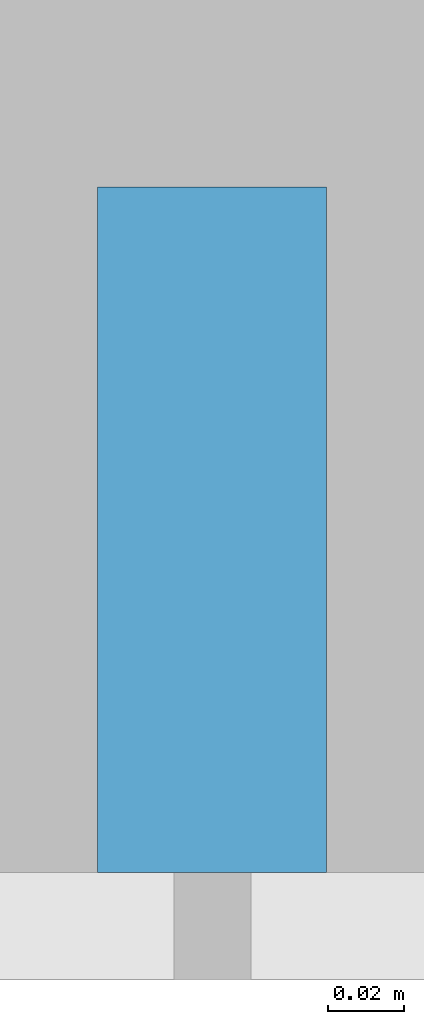
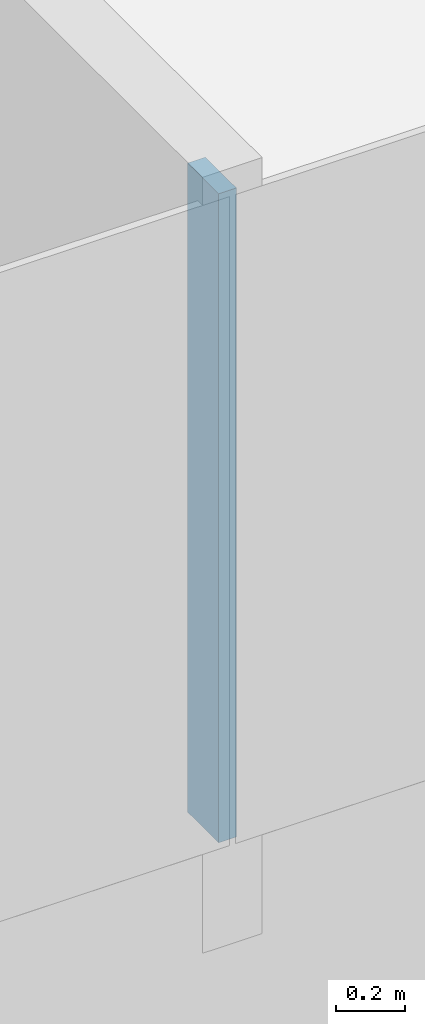
# One storey, part 5 of 26: 1 member, 1 element without a shape of its own.
"""IFC4 building model written with IfcOpenShell, lengths in metres."""

from ifc_helpers import new_model, si_unit, direction, frame, origin, origin_2d, place, context, subcontext, project, spatial, rectangle, extrude, material, layer, layer_set, material_profile, profile_set, type_object, element, aggregate, save


model = new_model("IFC4")

# Units and contexts
model_context = context("Model", 3, precision=1e-05, world=origin(), true_north=direction((0.0, 1.0)))
body_context = subcontext(model_context, "Body", "Model", "MODEL_VIEW")
ifc_project = project(units=[si_unit("LENGTHUNIT", "METRE"), si_unit("AREAUNIT", "SQUARE_METRE"), si_unit("VOLUMEUNIT", "CUBIC_METRE"), si_unit("PLANEANGLEUNIT", "RADIAN"), si_unit("MASSUNIT", "GRAM", prefix="KILO")], contexts=[model_context])

# Site, building, storey
site_placement = place(None, origin())
site = spatial("IfcSite", under=ifc_project, at=site_placement, CompositionType="ELEMENT")
building_placement = place(site_placement, origin())
building = spatial("IfcBuilding", under=site, at=building_placement, Name="Hakoniwa Tower and Hamabe Station Hall", CompositionType="ELEMENT")
storey_placement = place(building_placement, frame((0.0, 0.0, 143.800048828125)))
storey = spatial("IfcBuildingStorey", under=building, at=storey_placement, Name="L40", CompositionType="ELEMENT", Elevation=143.800048828125)

# Curtain wall, member
ifc_material_1 = material(Name="Dark low-e laminated glass", Category="glass")
ifc_layer = layer(ifc_material_1, 0.199951171875)
ifc_layer_set = layer_set([ifc_layer], Name="CW-1 UNITISED GUEST")
curtain_wall_type = type_object("IfcCurtainWallType", Name="CW-1 UNITISED GUEST", PredefinedType="NOTDEFINED", material=ifc_layer_set)
curtain_wall_placement = place(storey_placement, origin())
curtain_wall = element("IfcCurtainWall", 1, at=curtain_wall_placement, inside=storey, type_object=curtain_wall_type, Name="CW-1 curtain wall", PredefinedType="NOTDEFINED")
ifc_material_2 = material(Name="Aluminium 6063-T5 black anodised", Category="aluminium")
ifc_material_profile = material_profile(ifc_material_2, rectangle(XDim=0.06005859375, YDim=0.179931640625, at=origin_2d()), Name="CW-1 MULLION 60X180")
ifc_profile_set = profile_set([ifc_material_profile], Name="Aluminium 6063-T5 black anodised")
member_type = type_object("IfcMemberType", Name="CW-1 MULLION 60X180", PredefinedType="MULLION", material=ifc_profile_set)
member_placement = place(storey_placement, frame((8.39990234375, -19.181884765625, 0.349853515625), z_axis=(0.0, 0.0, 1.0), x_axis=(1.0, 0.0, 0.0)))
member = element("IfcMember", 2, at=member_placement, type_object=member_type, Name="CW-1 mullion", PredefinedType="MULLION", context=body_context, shape_type="SweptSolid", body=[
    extrude(rectangle(XDim=0.06005859375, YDim=0.179931640625, at=origin_2d()), origin(), (0.0, 0.0, 1.0), 2.300048828125),
])
aggregate(curtain_wall, [member])

save(model, "model.ifc")
